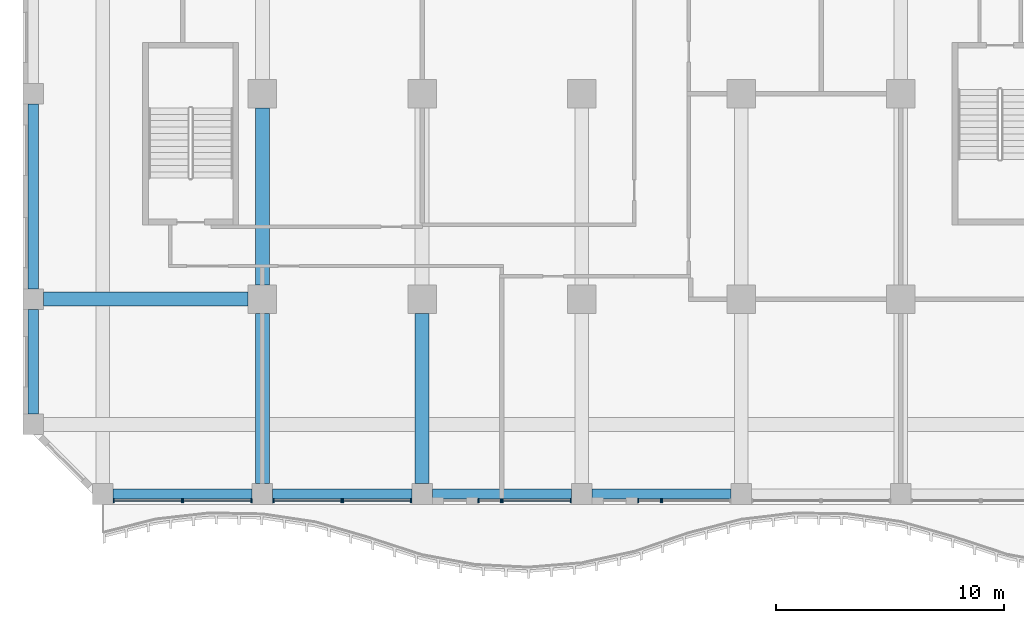
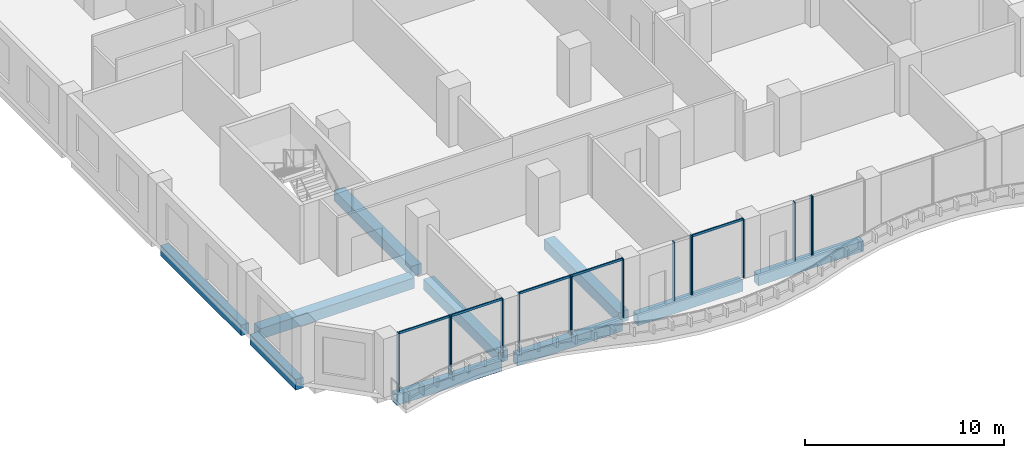
# One storey, part 2 of 21: 20 members, 10 beams, 8 elements without a shape of their own.
"""IFC4 building model written with IfcOpenShell, lengths in metres."""

from ifc_helpers import new_model, si_unit, direction, frame, origin, origin_2d, place, context, subcontext, project, spatial, rectangle, extrude, source, transform, mapped, material, material_profile, profile_set, type_object, element, aggregate, save


model = new_model("IFC4")

# Units and contexts
model_context = context("Model", 3, precision=1e-05, world=origin(), true_north=direction((0.0, 1.0)))
body_context = subcontext(model_context, "Body", "Model", "MODEL_VIEW")
ifc_project = project(units=[si_unit("LENGTHUNIT", "METRE"), si_unit("AREAUNIT", "SQUARE_METRE"), si_unit("VOLUMEUNIT", "CUBIC_METRE"), si_unit("PLANEANGLEUNIT", "RADIAN"), si_unit("MASSUNIT", "GRAM", prefix="KILO")], contexts=[model_context])

# Site, building, storey
site_placement = place(None, origin())
site = spatial("IfcSite", under=ifc_project, at=site_placement, CompositionType="ELEMENT")
building_placement = place(site_placement, origin())
building = spatial("IfcBuilding", under=site, at=building_placement, Name="Kilnfold Tower and Market Hall", CompositionType="ELEMENT")
storey_placement = place(building_placement, frame((0.0, 0.0, 91.199951171875)))
storey = spatial("IfcBuildingStorey", under=building, at=storey_placement, Name="L21", CompositionType="ELEMENT", Elevation=91.199951171875)

# Beams
ifc_material_1 = material(Name="Concrete C45", Category="concrete")
ifc_material_profile_1 = material_profile(ifc_material_1, rectangle(XDim=0.449951171875, YDim=0.64990234375, at=origin_2d()), Name="RC 450x650")
ifc_profile_set_1 = profile_set([ifc_material_profile_1], Name="Concrete C45")
beam_type_1 = type_object("IfcBeamType", Name="EDGE BEAM 450X650 C45", PredefinedType="BEAM", material=ifc_profile_set_1)
shared_shape_1 = source(origin(), body_context, "Body", "SweptSolid", [
    extrude(rectangle(XDim=0.449951171875, YDim=0.64990234375, at=origin_2d()), origin(), (0.0, 0.0, 1.0), 6.10009765625),
])
for number, where, z_axis, x_axis, name in (
    (1, (-19.050048828125, -27.550048828125, -0.60498046875), (1.0, 0.0, 0.0), (0.0, 1.0, 0.0), "Beam EB650-B2.60"),
    (2, (-12.050048828125, -27.550048828125, -0.60498046875), (1.0, 0.0, 0.0), (0.0, 1.0, 0.0), "Beam EB650-B2.61"),
    (3, (-5.050048828125, -27.550048828125, -0.60498046875), (1.0, 0.0, 0.0), (0.0, 1.0, 0.0), "Beam EB650-B2.62"),
    (4, (1.949951171875, -27.550048828125, -0.60498046875), (1.0, 0.0, 0.0), (0.0, 1.0, 0.0), "Beam EB650-B2.63"),
):
    element("IfcBeam", number, at=place(storey_placement, frame(where, z_axis=z_axis, x_axis=x_axis)), inside=storey, type_object=beam_type_1, Name=name, PredefinedType="BEAM", context=body_context, shape_type="MappedRepresentation", body=[
        mapped(shared_shape_1, transform((0.0, 0.0, 0.0))),
    ])
shared_shape_2 = source(origin(), body_context, "Body", "SweptSolid", [
    extrude(rectangle(XDim=0.449951171875, YDim=0.64990234375, at=origin_2d()), origin(), (0.0, 0.0, 1.0), 4.60009765625),
])
beam_1_placement = place(storey_placement, frame((-22.550048828125, -24.050048828125, -0.60498046875), z_axis=(0.0, 1.0, 0.0), x_axis=(-1.0, 0.0, 0.0)))
element("IfcBeam", 5, at=beam_1_placement, inside=storey, type_object=beam_type_1, Name="Beam EB650-B2.37", PredefinedType="BEAM", context=body_context, shape_type="MappedRepresentation", body=[
    mapped(shared_shape_2, transform((0.0, 0.0, 0.0))),
])
shared_shape_3 = source(origin(), body_context, "Body", "SweptSolid", [
    extrude(rectangle(XDim=0.449951171875, YDim=0.64990234375, at=origin_2d()), origin(), (0.0, 0.0, 1.0), 8.10009765625),
])
beam_2_placement = place(storey_placement, frame((-22.550048828125, -18.550048828125, -0.60498046875), z_axis=(0.0, 1.0, 0.0), x_axis=(-1.0, 0.0, 0.0)))
element("IfcBeam", 6, at=beam_2_placement, inside=storey, type_object=beam_type_1, Name="Beam EB650-B2.38", PredefinedType="BEAM", context=body_context, shape_type="MappedRepresentation", body=[
    mapped(shared_shape_3, transform((0.0, 0.0, 0.0))),
])
ifc_material_2 = material(Name="Concrete C45", Category="concrete")
ifc_material_profile_2 = material_profile(ifc_material_2, rectangle(XDim=0.60009765625, YDim=0.64990234375, at=origin_2d()), Name="RC 600x650")
ifc_profile_set_2 = profile_set([ifc_material_profile_2], Name="Concrete C45")
beam_type_2 = type_object("IfcBeamType", Name="BEAM 600X650 C45", PredefinedType="BEAM", material=ifc_profile_set_2)
shared_shape_4 = source(origin(), body_context, "Body", "SweptSolid", [
    extrude(rectangle(XDim=0.60009765625, YDim=0.64990234375, at=origin_2d()), origin(), (0.0, 0.0, 1.0), 8.97509765625),
])
beam_3_placement = place(storey_placement, frame((-22.10009765625, -19.0, -0.60498046875), z_axis=(1.0, 0.0, 0.0), x_axis=(0.0, 1.0, 0.0)))
element("IfcBeam", 7, at=beam_3_placement, inside=storey, type_object=beam_type_2, Name="Beam BB650-B2.68", PredefinedType="BEAM", context=body_context, shape_type="MappedRepresentation", body=[
    mapped(shared_shape_4, transform((0.0, 0.0, 0.0))),
])
shared_shape_5 = source(origin(), body_context, "Body", "SweptSolid", [
    extrude(rectangle(XDim=0.60009765625, YDim=0.64990234375, at=origin_2d()), origin(), (0.0, 0.0, 1.0), 7.47509765625),
])
for number, where, z_axis, x_axis, name in (
    (8, (-12.5, -27.10009765625, -0.60498046875), (0.0, 1.0, 0.0), (-1.0, 0.0, 0.0), "Beam BB650-B2.82"),
    (9, (-5.5, -27.10009765625, -0.60498046875), (0.0, 1.0, 0.0), (-1.0, 0.0, 0.0), "Beam BB650-B2.85"),
):
    element("IfcBeam", number, at=place(storey_placement, frame(where, z_axis=z_axis, x_axis=x_axis)), inside=storey, type_object=beam_type_2, Name=name, PredefinedType="BEAM", context=body_context, shape_type="MappedRepresentation", body=[
        mapped(shared_shape_5, transform((0.0, 0.0, 0.0))),
    ])
shared_shape_6 = source(origin(), body_context, "Body", "SweptSolid", [
    extrude(rectangle(XDim=0.60009765625, YDim=0.64990234375, at=origin_2d()), origin(), (0.0, 0.0, 1.0), 7.75),
])
beam_4_placement = place(storey_placement, frame((-12.5, -18.375, -0.60498046875), z_axis=(0.0, 1.0, 0.0), x_axis=(-1.0, 0.0, 0.0)))
element("IfcBeam", 10, at=beam_4_placement, inside=storey, type_object=beam_type_2, Name="Beam BB650-B2.83", PredefinedType="BEAM", context=body_context, shape_type="MappedRepresentation", body=[
    mapped(shared_shape_6, transform((0.0, 0.0, 0.0))),
])

# Curtain wall, member
ifc_material_3 = material(Name="Aluminium and double glazing", Category="aluminium")
curtain_wall_type = type_object("IfcCurtainWallType", Name="CW OF1 VALLEY GLAZING", PredefinedType="NOTDEFINED", material=ifc_material_3)
curtain_wall_1_placement = place(storey_placement, origin())
curtain_wall_1 = element("IfcCurtainWall", 11, at=curtain_wall_1_placement, inside=storey, type_object=curtain_wall_type, Name="Curtain wall CW1 L21 S", PredefinedType="NOTDEFINED")
ifc_material_4 = material(Name="Aluminium", Category="aluminium")
ifc_material_profile_3 = material_profile(ifc_material_4, rectangle(XDim=0.06005859375, YDim=0.139892578125, at=origin_2d()), Name="TRANSOM 60x140")
ifc_profile_set_3 = profile_set([ifc_material_profile_3], Name="Aluminium")
member_type_1 = type_object("IfcMemberType", Name="TRANSOM 60X140", PredefinedType="USERDEFINED", material=ifc_profile_set_3)
shared_shape_7 = source(origin(), body_context, "Body", "SweptSolid", [
    extrude(rectangle(XDim=0.06005859375, YDim=0.139892578125, at=origin_2d()), origin(), (0.0, 0.0, 1.0), 2.929931640625),
])
member_1_placement = place(storey_placement, frame((-18.989990234375, -27.85009765625, 3.570068359375), z_axis=(1.0, 0.0, 0.0), x_axis=(0.0, 1.0, 0.0)))
member_1 = element("IfcMember", 12, at=member_1_placement, type_object=member_type_1, Name="CW1 transom 1.2", ObjectType="TRANSOM", PredefinedType="USERDEFINED", context=body_context, shape_type="MappedRepresentation", body=[
    mapped(shared_shape_7, transform((0.0, 0.0, 0.0))),
])

curtain_wall_2_placement = place(storey_placement, origin())
curtain_wall_2 = element("IfcCurtainWall", 13, at=curtain_wall_2_placement, inside=storey, type_object=curtain_wall_type, Name="Curtain wall CW1 L21 S", PredefinedType="NOTDEFINED")
member_2_placement = place(storey_placement, frame((-15.93994140625, -27.85009765625, 3.570068359375), z_axis=(1.0, 0.0, 0.0), x_axis=(0.0, 1.0, 0.0)))
member_2 = element("IfcMember", 14, at=member_2_placement, type_object=member_type_1, Name="CW1 transom 1.2", ObjectType="TRANSOM", PredefinedType="USERDEFINED", context=body_context, shape_type="MappedRepresentation", body=[
    mapped(shared_shape_7, transform((0.0, 0.0, 0.0))),
])

curtain_wall_3_placement = place(storey_placement, origin())
curtain_wall_3 = element("IfcCurtainWall", 15, at=curtain_wall_3_placement, inside=storey, type_object=curtain_wall_type, Name="Curtain wall CW1 L21 S", PredefinedType="NOTDEFINED")
member_3_placement = place(storey_placement, frame((-11.989990234375, -27.85009765625, 3.570068359375), z_axis=(1.0, 0.0, 0.0), x_axis=(0.0, 1.0, 0.0)))
member_3 = element("IfcMember", 16, at=member_3_placement, type_object=member_type_1, Name="CW1 transom 1.2", ObjectType="TRANSOM", PredefinedType="USERDEFINED", context=body_context, shape_type="MappedRepresentation", body=[
    mapped(shared_shape_7, transform((0.0, 0.0, 0.0))),
])

curtain_wall_4_placement = place(storey_placement, origin())
curtain_wall_4 = element("IfcCurtainWall", 17, at=curtain_wall_4_placement, inside=storey, type_object=curtain_wall_type, Name="Curtain wall CW1 L21 S", PredefinedType="NOTDEFINED")
member_4_placement = place(storey_placement, frame((-8.93994140625, -27.85009765625, 3.570068359375), z_axis=(1.0, 0.0, 0.0), x_axis=(0.0, 1.0, 0.0)))
member_4 = element("IfcMember", 18, at=member_4_placement, type_object=member_type_1, Name="CW1 transom 1.2", ObjectType="TRANSOM", PredefinedType="USERDEFINED", context=body_context, shape_type="MappedRepresentation", body=[
    mapped(shared_shape_7, transform((0.0, 0.0, 0.0))),
])

curtain_wall_5_placement = place(storey_placement, origin())
curtain_wall_5 = element("IfcCurtainWall", 19, at=curtain_wall_5_placement, inside=storey, type_object=curtain_wall_type, Name="Curtain wall CW1 L21 S", PredefinedType="NOTDEFINED")
member_5_placement = place(storey_placement, frame((-1.93994140625, -27.85009765625, 3.570068359375), z_axis=(1.0, 0.0, 0.0), x_axis=(0.0, 1.0, 0.0)))
member_5 = element("IfcMember", 20, at=member_5_placement, type_object=member_type_1, Name="CW1 transom 1.2", ObjectType="TRANSOM", PredefinedType="USERDEFINED", context=body_context, shape_type="MappedRepresentation", body=[
    mapped(shared_shape_7, transform((0.0, 0.0, 0.0))),
])

# Member
ifc_material_5 = material(Name="Aluminium", Category="aluminium")
ifc_material_profile_4 = material_profile(ifc_material_5, rectangle(XDim=0.06005859375, YDim=0.179931640625, at=origin_2d()), Name="MULLION 60x180")
ifc_profile_set_4 = profile_set([ifc_material_profile_4], Name="Aluminium")
member_type_2 = type_object("IfcMemberType", Name="MULLION 60X180", PredefinedType="MULLION", material=ifc_profile_set_4)
shared_shape_8 = source(origin(), body_context, "Body", "SweptSolid", [
    extrude(rectangle(XDim=0.06005859375, YDim=0.179931640625, at=origin_2d()), origin(), (0.0, 0.0, 1.0), 3.60009765625),
])
member_6_placement = place(storey_placement, frame((-19.02001953125, -27.85009765625, 0.0), z_axis=(0.0, 0.0, 1.0), x_axis=(1.0, 0.0, 0.0)))
member_6 = element("IfcMember", 21, at=member_6_placement, type_object=member_type_2, Name="CW1 mullion 1", PredefinedType="MULLION", context=body_context, shape_type="MappedRepresentation", body=[
    mapped(shared_shape_8, transform((0.0, 0.0, 0.0))),
])

member_7_placement = place(storey_placement, frame((-16.030029296875, -27.85009765625, 0.0), z_axis=(0.0, 0.0, 1.0), x_axis=(1.0, 0.0, 0.0)))
member_7 = element("IfcMember", 22, at=member_7_placement, type_object=member_type_2, Name="CW1 mullion 2", PredefinedType="MULLION", context=body_context, shape_type="MappedRepresentation", body=[
    mapped(shared_shape_8, transform((0.0, 0.0, 0.0))),
])

aggregate(curtain_wall_1, [member_6, member_7, member_1])

member_8_placement = place(storey_placement, frame((-15.969970703125, -27.85009765625, 0.0), z_axis=(0.0, 0.0, 1.0), x_axis=(1.0, 0.0, 0.0)))
member_8 = element("IfcMember", 23, at=member_8_placement, type_object=member_type_2, Name="CW1 mullion 1", PredefinedType="MULLION", context=body_context, shape_type="MappedRepresentation", body=[
    mapped(shared_shape_8, transform((0.0, 0.0, 0.0))),
])

member_9_placement = place(storey_placement, frame((-12.97998046875, -27.85009765625, 0.0), z_axis=(0.0, 0.0, 1.0), x_axis=(1.0, 0.0, 0.0)))
member_9 = element("IfcMember", 24, at=member_9_placement, type_object=member_type_2, Name="CW1 mullion 2", PredefinedType="MULLION", context=body_context, shape_type="MappedRepresentation", body=[
    mapped(shared_shape_8, transform((0.0, 0.0, 0.0))),
])

aggregate(curtain_wall_2, [member_8, member_9, member_2])

member_10_placement = place(storey_placement, frame((-12.02001953125, -27.85009765625, 0.0), z_axis=(0.0, 0.0, 1.0), x_axis=(1.0, 0.0, 0.0)))
member_10 = element("IfcMember", 25, at=member_10_placement, type_object=member_type_2, Name="CW1 mullion 1", PredefinedType="MULLION", context=body_context, shape_type="MappedRepresentation", body=[
    mapped(shared_shape_8, transform((0.0, 0.0, 0.0))),
])

member_11_placement = place(storey_placement, frame((-9.030029296875, -27.85009765625, 0.0), z_axis=(0.0, 0.0, 1.0), x_axis=(1.0, 0.0, 0.0)))
member_11 = element("IfcMember", 26, at=member_11_placement, type_object=member_type_2, Name="CW1 mullion 2", PredefinedType="MULLION", context=body_context, shape_type="MappedRepresentation", body=[
    mapped(shared_shape_8, transform((0.0, 0.0, 0.0))),
])

aggregate(curtain_wall_3, [member_10, member_11, member_3])

member_12_placement = place(storey_placement, frame((-8.969970703125, -27.85009765625, 0.0), z_axis=(0.0, 0.0, 1.0), x_axis=(1.0, 0.0, 0.0)))
member_12 = element("IfcMember", 27, at=member_12_placement, type_object=member_type_2, Name="CW1 mullion 1", PredefinedType="MULLION", context=body_context, shape_type="MappedRepresentation", body=[
    mapped(shared_shape_8, transform((0.0, 0.0, 0.0))),
])

member_13_placement = place(storey_placement, frame((-5.97998046875, -27.85009765625, 0.0), z_axis=(0.0, 0.0, 1.0), x_axis=(1.0, 0.0, 0.0)))
member_13 = element("IfcMember", 28, at=member_13_placement, type_object=member_type_2, Name="CW1 mullion 2", PredefinedType="MULLION", context=body_context, shape_type="MappedRepresentation", body=[
    mapped(shared_shape_8, transform((0.0, 0.0, 0.0))),
])

aggregate(curtain_wall_4, [member_12, member_13, member_4])

# Curtain wall, members
curtain_wall_6_placement = place(storey_placement, origin())
curtain_wall_6 = element("IfcCurtainWall", 29, at=curtain_wall_6_placement, inside=storey, type_object=curtain_wall_type, Name="Curtain wall CW1 L21 S", PredefinedType="NOTDEFINED")
member_14_placement = place(storey_placement, frame((-3.02001953125, -27.85009765625, 0.0), z_axis=(0.0, 0.0, 1.0), x_axis=(1.0, 0.0, 0.0)))
member_14 = element("IfcMember", 30, at=member_14_placement, type_object=member_type_2, Name="CW1 mullion 1", PredefinedType="MULLION", context=body_context, shape_type="MappedRepresentation", body=[
    mapped(shared_shape_8, transform((0.0, 0.0, 0.0))),
])
member_15_placement = place(storey_placement, frame((-2.030029296875, -27.85009765625, 0.0), z_axis=(0.0, 0.0, 1.0), x_axis=(1.0, 0.0, 0.0)))
member_15 = element("IfcMember", 31, at=member_15_placement, type_object=member_type_2, Name="CW1 mullion 2", PredefinedType="MULLION", context=body_context, shape_type="MappedRepresentation", body=[
    mapped(shared_shape_8, transform((0.0, 0.0, 0.0))),
])
aggregate(curtain_wall_6, [member_14, member_15])

# Member
member_16_placement = place(storey_placement, frame((-1.969970703125, -27.85009765625, 0.0), z_axis=(0.0, 0.0, 1.0), x_axis=(1.0, 0.0, 0.0)))
member_16 = element("IfcMember", 32, at=member_16_placement, type_object=member_type_2, Name="CW1 mullion 1", PredefinedType="MULLION", context=body_context, shape_type="MappedRepresentation", body=[
    mapped(shared_shape_8, transform((0.0, 0.0, 0.0))),
])

member_17_placement = place(storey_placement, frame((1.02001953125, -27.85009765625, 0.0), z_axis=(0.0, 0.0, 1.0), x_axis=(1.0, 0.0, 0.0)))
member_17 = element("IfcMember", 33, at=member_17_placement, type_object=member_type_2, Name="CW1 mullion 2", PredefinedType="MULLION", context=body_context, shape_type="MappedRepresentation", body=[
    mapped(shared_shape_8, transform((0.0, 0.0, 0.0))),
])

aggregate(curtain_wall_5, [member_16, member_17, member_5])

# Curtain wall, members
curtain_wall_7_placement = place(storey_placement, origin())
curtain_wall_7 = element("IfcCurtainWall", 34, at=curtain_wall_7_placement, inside=storey, type_object=curtain_wall_type, Name="Curtain wall CW1 L21 S", PredefinedType="NOTDEFINED")
member_18_placement = place(storey_placement, frame((3.97998046875, -27.85009765625, 0.0), z_axis=(0.0, 0.0, 1.0), x_axis=(1.0, 0.0, 0.0)))
member_18 = element("IfcMember", 35, at=member_18_placement, type_object=member_type_2, Name="CW1 mullion 1", PredefinedType="MULLION", context=body_context, shape_type="MappedRepresentation", body=[
    mapped(shared_shape_8, transform((0.0, 0.0, 0.0))),
])
member_19_placement = place(storey_placement, frame((4.969970703125, -27.85009765625, 0.0), z_axis=(0.0, 0.0, 1.0), x_axis=(1.0, 0.0, 0.0)))
member_19 = element("IfcMember", 36, at=member_19_placement, type_object=member_type_2, Name="CW1 mullion 2", PredefinedType="MULLION", context=body_context, shape_type="MappedRepresentation", body=[
    mapped(shared_shape_8, transform((0.0, 0.0, 0.0))),
])
aggregate(curtain_wall_7, [member_18, member_19])

# Curtain wall, member
curtain_wall_8_placement = place(storey_placement, origin())
curtain_wall_8 = element("IfcCurtainWall", 37, at=curtain_wall_8_placement, inside=storey, type_object=curtain_wall_type, Name="Curtain wall CW1 L21 S", PredefinedType="NOTDEFINED")
member_20_placement = place(storey_placement, frame((5.030029296875, -27.85009765625, 0.0), z_axis=(0.0, 0.0, 1.0), x_axis=(1.0, 0.0, 0.0)))
member_20 = element("IfcMember", 38, at=member_20_placement, type_object=member_type_2, Name="CW1 mullion 1", PredefinedType="MULLION", context=body_context, shape_type="MappedRepresentation", body=[
    mapped(shared_shape_8, transform((0.0, 0.0, 0.0))),
])
aggregate(curtain_wall_8, [member_20])

save(model, "model.ifc")
